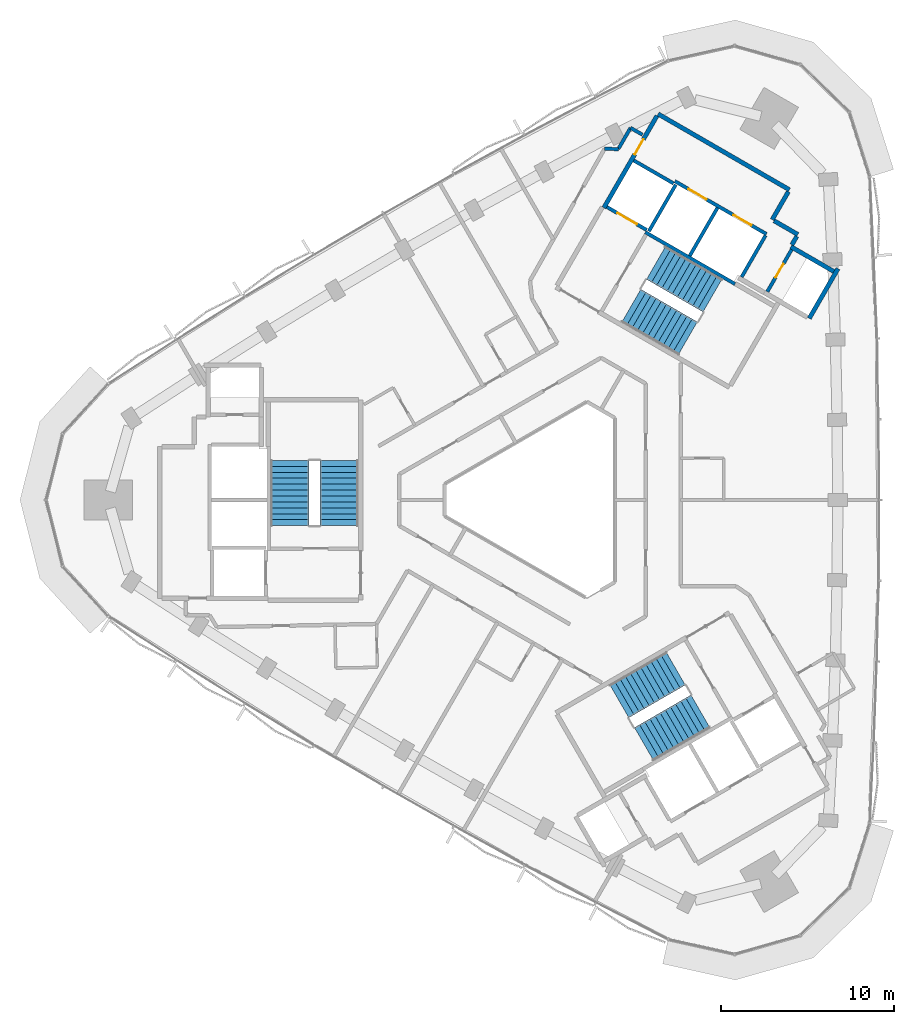
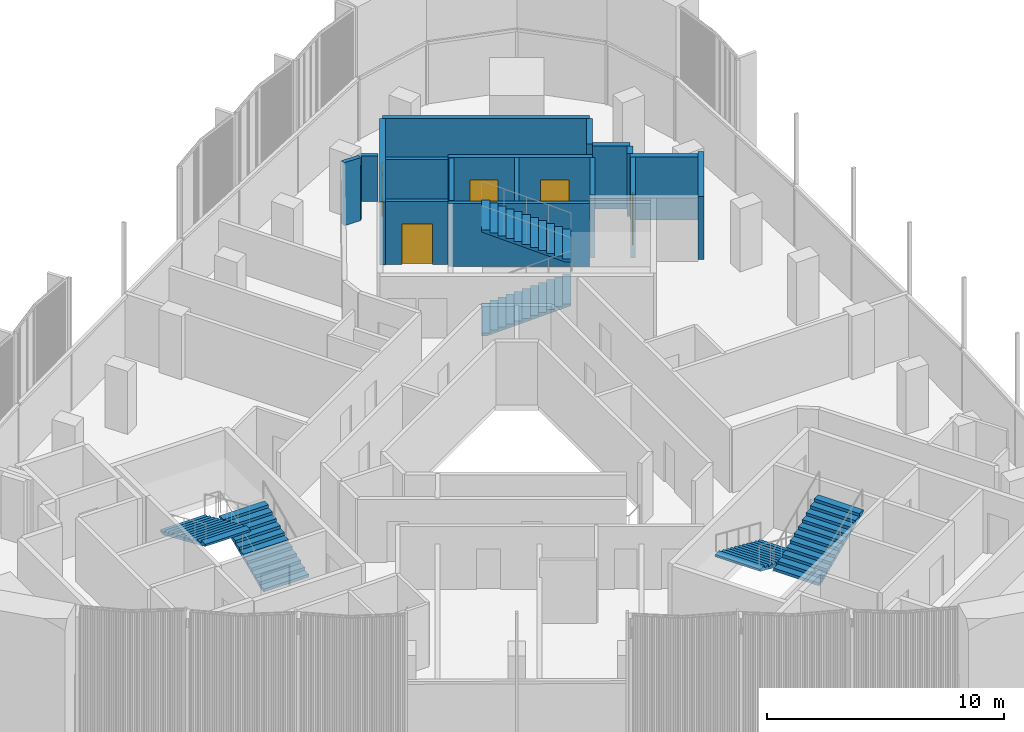
# One storey, part 11 of 16: 18 walls, 6 stair flights, 5 doors, 5 openings, 3 elements without a shape of their own.
"""IFC4 building model written with IfcOpenShell, lengths in metres."""

from ifc_helpers import new_model, si_unit, direction, frame, frame_2d, origin, place, context, subcontext, project, spatial, polyline, rectangle, outline, extrude, material, layer, layer_set, type_object, element, fill, aggregate, save


model = new_model("IFC4")

# Units and contexts
model_context = context("Model", 3, precision=1e-05, world=origin(), true_north=direction((0.0, 1.0)))
body_context = subcontext(model_context, "Body", "Model", "MODEL_VIEW")
ifc_project = project(units=[si_unit("LENGTHUNIT", "METRE"), si_unit("AREAUNIT", "SQUARE_METRE"), si_unit("VOLUMEUNIT", "CUBIC_METRE"), si_unit("PLANEANGLEUNIT", "RADIAN"), si_unit("MASSUNIT", "GRAM", prefix="KILO")], contexts=[model_context])

# Site, building, storey
site_placement = place(None, origin())
site = spatial("IfcSite", under=ifc_project, at=site_placement, CompositionType="ELEMENT")
building_placement = place(site_placement, origin())
building = spatial("IfcBuilding", under=site, at=building_placement, Name="Tamra Quay Hotel Tower", CompositionType="ELEMENT")
storey_placement = place(building_placement, frame((0.0, 0.0, 232.199951171875)))
storey = spatial("IfcBuildingStorey", under=building, at=storey_placement, Name="L58", CompositionType="ELEMENT", Elevation=232.199951171875)

# Wall, openings, doors
ifc_material_1 = material(Name="Concrete M70", Category="concrete")
ifc_layer_1 = layer(ifc_material_1, 0.199951171875)
ifc_layer_set_1 = layer_set([ifc_layer_1], Name="Concrete M70 core wall 200")
wall_type_1 = type_object("IfcWallType", Name="Concrete M70 core wall 200", PredefinedType="SHEAR", material=ifc_layer_set_1)
wall_1_placement = place(storey_placement, frame((12.552490234375, 15.341552734375, 0.0), z_axis=(0.0, 0.0, 1.0), x_axis=(-0.866030299012, 0.499991521122, 0.0)))
wall_1 = element("IfcWall", 1, at=wall_1_placement, inside=storey, type_object=wall_type_1, Name="CW2", PredefinedType="SHEAR", context=body_context, shape_type="SweptSolid", body=[
    extrude(rectangle(XDim=6.10009765625, YDim=0.199951171875, at=frame_2d((3.050048828125, 0.0))), origin(), (0.0, 0.0, 1.0), 3.25),
])
opening_1_placement = place(wall_1_placement, frame((1.0, 0.0, 0.0)))
opening_1 = element("IfcOpeningElement", 2, at=opening_1_placement, cuts=wall_1, Name="Opening LD", PredefinedType="OPENING", context=body_context, shape_type="SweptSolid", body=[
    extrude(rectangle(XDim=1.199951171875, YDim=2.10009765625, at=frame_2d((0.60009765625, 1.050048828125))), frame((0.0, 0.10986328125, 0.0), z_axis=(0.0, -1.0, 0.0), x_axis=(1.0, 0.0, 0.0)), (0.0, 0.0, 1.0), 0.219970703125),
])
opening_2_placement = place(wall_1_placement, frame((3.982177734375, 0.0, 0.0)))
opening_2 = element("IfcOpeningElement", 3, at=opening_2_placement, cuts=wall_1, Name="Opening LD", PredefinedType="OPENING", context=body_context, shape_type="SweptSolid", body=[
    extrude(rectangle(XDim=1.199951171875, YDim=2.10009765625, at=frame_2d((0.60009765625, 1.050048828125))), frame((0.0, 0.10986328125, 0.0), z_axis=(0.0, -1.0, 0.0), x_axis=(1.0, 0.0, 0.0)), (0.0, 0.0, 1.0), 0.219970703125),
])
ifc_material_2 = material(Name="Landing door LD 1200 double door sliding")
door_type_1 = type_object("IfcDoorType", Name="Landing door LD 1200 double door sliding", OperationType="DOUBLE_DOOR_SLIDING", PredefinedType="DOOR", material=ifc_material_2)
door_1_placement = place(opening_1_placement, origin())
door_1 = element("IfcDoor", 4, at=door_1_placement, inside=storey, type_object=door_type_1, Name="LD", OperationType="DOUBLE_DOOR_SLIDING", OverallHeight=2.10009765625, OverallWidth=1.199951171875, PredefinedType="DOOR", context=body_context, shape_type="SweptSolid", body=[
    extrude(rectangle(XDim=1.199951171875, YDim=2.10009765625, at=frame_2d((0.60009765625, 1.050048828125))), frame((0.0, 0.02490234375, 0.0), z_axis=(0.0, -1.0, 0.0), x_axis=(1.0, 0.0, 0.0)), (0.0, 0.0, 1.0), 0.050048828125),
])
fill(opening_1, door_1)
door_2_placement = place(opening_2_placement, origin())
door_2 = element("IfcDoor", 5, at=door_2_placement, inside=storey, type_object=door_type_1, Name="LD", OperationType="DOUBLE_DOOR_SLIDING", OverallHeight=2.10009765625, OverallWidth=1.199951171875, PredefinedType="DOOR", context=body_context, shape_type="SweptSolid", body=[
    extrude(rectangle(XDim=1.199951171875, YDim=2.10009765625, at=frame_2d((0.60009765625, 1.050048828125))), frame((0.0, 0.02490234375, 0.0), z_axis=(0.0, -1.0, 0.0), x_axis=(1.0, 0.0, 0.0)), (0.0, 0.0, 1.0), 0.050048828125),
])
fill(opening_2, door_2)

# Walls
wall_2_placement = place(storey_placement, frame((10.7431640625, 12.4599609375, 0.0), z_axis=(0.0, 0.0, 1.0), x_axis=(-0.866018848283, 0.500011354289, 0.0)))
element("IfcWall", 6, at=wall_2_placement, inside=storey, type_object=wall_type_1, Name="CW2", PredefinedType="SHEAR", context=body_context, shape_type="SweptSolid", body=[
    extrude(rectangle(XDim=5.973876953125, YDim=0.199951171875, at=frame_2d((2.98681640625, 0.0))), origin(), (0.0, 0.0, 1.0), 3.25),
])
wall_3_placement = place(storey_placement, frame((8.131591796875, 14.08447265625, 0.0), z_axis=(0.0, 0.0, 1.0), x_axis=(0.500030834389, 0.86600760081, 0.0)))
element("IfcWall", 7, at=wall_3_placement, inside=storey, type_object=wall_type_1, Name="CW2", PredefinedType="SHEAR", context=body_context, shape_type="SweptSolid", body=[
    extrude(rectangle(XDim=3.197998046875, YDim=0.199951171875, at=frame_2d((1.59912109375, 0.0))), origin(), (0.0, 0.0, 1.0), 3.25),
])

# Wall, opening, door
wall_4_placement = place(storey_placement, frame((14.0078125, 14.442138671875, 0.0), z_axis=(0.0, 0.0, 1.0), x_axis=(-0.499986818241, -0.866033014143, 0.0)))
wall_4 = element("IfcWall", 8, at=wall_4_placement, inside=storey, type_object=wall_type_1, Name="CW2", PredefinedType="SHEAR", context=body_context, shape_type="SweptSolid", body=[
    extrude(rectangle(XDim=2.7978515625, YDim=0.199951171875, at=frame_2d((1.39892578125, 0.0))), origin(), (0.0, 0.0, 1.0), 3.25),
])
opening_3_placement = place(wall_4_placement, frame((0.948974609375, 0.0, 0.0)))
opening_3 = element("IfcOpeningElement", 9, at=opening_3_placement, cuts=wall_4, Name="Opening D1", PredefinedType="OPENING", context=body_context, shape_type="SweptSolid", body=[
    extrude(rectangle(XDim=0.89990234375, YDim=2.10009765625, at=frame_2d((0.449951171875, 1.050048828125))), frame((0.0, 0.10986328125, 0.0), z_axis=(0.0, -1.0, 0.0), x_axis=(1.0, 0.0, 0.0)), (0.0, 0.0, 1.0), 0.219970703125),
])
ifc_material_3 = material(Name="Core door D1 900x2100 LH")
door_type_2 = type_object("IfcDoorType", Name="Core door D1 900x2100 LH", OperationType="NOTDEFINED", PredefinedType="DOOR", material=ifc_material_3)
door_3_placement = place(opening_3_placement, origin())
door_3 = element("IfcDoor", 10, at=door_3_placement, inside=storey, type_object=door_type_2, Name="D1", OperationType="SINGLE_SWING_LEFT", OverallHeight=2.10009765625, OverallWidth=0.89990234375, PredefinedType="DOOR", context=body_context, shape_type="SweptSolid", body=[
    extrude(rectangle(XDim=0.89990234375, YDim=2.10009765625, at=frame_2d((0.449951171875, 1.050048828125))), frame((0.0, 0.02490234375, 0.0), z_axis=(0.0, -1.0, 0.0), x_axis=(1.0, 0.0, 0.0)), (0.0, 0.0, 1.0), 0.050048828125),
])
fill(opening_3, door_3)

# Walls
wall_5_placement = place(storey_placement, frame((12.50244140625, 15.2548828125, 0.0), z_axis=(0.0, 0.0, 1.0), x_axis=(-0.499965018551, -0.866045599391, 0.0)))
element("IfcWall", 11, at=wall_5_placement, inside=storey, type_object=wall_type_1, Name="CW2", PredefinedType="SHEAR", context=body_context, shape_type="SweptSolid", body=[
    extrude(rectangle(XDim=2.759033203125, YDim=0.199951171875, at=frame_2d((1.37939453125, 0.0))), origin(), (0.0, 0.0, 1.0), 3.25),
])
wall_6_placement = place(storey_placement, frame((7.324462890625, 18.1865234375, 0.0), z_axis=(0.0, 0.0, 1.0), x_axis=(-0.499967891604, -0.866043940782, 0.0)))
element("IfcWall", 12, at=wall_6_placement, inside=storey, type_object=wall_type_1, Name="CW2", PredefinedType="SHEAR", context=body_context, shape_type="SweptSolid", body=[
    extrude(rectangle(XDim=3.099853515625, YDim=0.199951171875, at=frame_2d((1.5498046875, 0.0))), origin(), (0.0, 0.0, 1.0), 3.25),
])

# Wall, opening, door
wall_7_placement = place(storey_placement, frame((5.646240234375, 15.575927734375, 0.0), z_axis=(0.0, 0.0, 1.0), x_axis=(-0.866018407898, 0.500012117035, 0.0)))
wall_7 = element("IfcWall", 13, at=wall_7_placement, inside=storey, type_object=wall_type_1, Name="CW2", PredefinedType="SHEAR", context=body_context, shape_type="SweptSolid", body=[
    extrude(rectangle(XDim=2.65087890625, YDim=0.199951171875, at=frame_2d((1.325439453125, 0.0))), origin(), (0.0, 0.0, 1.0), 3.25),
])
opening_4_placement = place(wall_7_placement, frame((0.65185546875, 0.0, 0.0)))
opening_4 = element("IfcOpeningElement", 14, at=opening_4_placement, cuts=wall_7, Name="Opening LD", PredefinedType="OPENING", context=body_context, shape_type="SweptSolid", body=[
    extrude(rectangle(XDim=1.300048828125, YDim=2.10009765625, at=frame_2d((0.64990234375, 1.050048828125))), frame((0.0, 0.10986328125, 0.0), z_axis=(0.0, -1.0, 0.0), x_axis=(1.0, 0.0, 0.0)), (0.0, 0.0, 1.0), 0.219970703125),
])
ifc_material_4 = material(Name="Landing door LD 1300 sliding to right")
door_type_3 = type_object("IfcDoorType", Name="Landing door LD 1300 sliding to right", OperationType="NOTDEFINED", PredefinedType="DOOR", material=ifc_material_4)
door_4_placement = place(opening_4_placement, origin())
door_4 = element("IfcDoor", 15, at=door_4_placement, inside=storey, type_object=door_type_3, Name="LD", OperationType="SLIDING_TO_RIGHT", OverallHeight=2.10009765625, OverallWidth=1.300048828125, PredefinedType="DOOR", context=body_context, shape_type="SweptSolid", body=[
    extrude(rectangle(XDim=1.300048828125, YDim=2.10009765625, at=frame_2d((0.64990234375, 1.050048828125))), frame((0.0, 0.02490234375, 0.0), z_axis=(0.0, -1.0, 0.0), x_axis=(1.0, 0.0, 0.0)), (0.0, 0.0, 1.0), 0.050048828125),
])
fill(opening_4, door_4)

# Walls
wall_8_placement = place(storey_placement, frame((7.1962890625, 18.260498046875, 0.0), z_axis=(0.0, 0.0, 1.0), x_axis=(-0.866018407898, 0.500012117035, 0.0)))
element("IfcWall", 16, at=wall_8_placement, inside=storey, type_object=wall_type_1, Name="CW2", PredefinedType="SHEAR", context=body_context, shape_type="SweptSolid", body=[
    extrude(rectangle(XDim=2.65087890625, YDim=0.199951171875, at=frame_2d((1.325439453125, 0.0))), origin(), (0.0, 0.0, 1.0), 3.25),
])
ifc_layer_2 = layer(ifc_material_1, 0.25)
ifc_layer_set_2 = layer_set([ifc_layer_2], Name="Concrete M70 core wall 250")
wall_type_2 = type_object("IfcWallType", Name="Concrete M70 core wall 250", PredefinedType="SHEAR", material=ifc_layer_set_2)
wall_9_placement = place(storey_placement, frame((6.303955078125, 22.268798828125, 0.0), z_axis=(0.0, 0.0, 1.0), x_axis=(0.866022959057, -0.500004234368, 0.0)))
element("IfcWall", 17, at=wall_9_placement, inside=storey, type_object=wall_type_2, Name="CW1", PredefinedType="SHEAR", context=body_context, shape_type="SweptSolid", body=[
    extrude(rectangle(XDim=8.75, YDim=0.25, at=frame_2d((4.375, 0.0))), origin(), (0.0, 0.0, 1.0), 3.25),
])

# Wall, opening, door
wall_10_placement = place(storey_placement, frame((3.178955078125, 16.856201171875, 0.0), z_axis=(0.0, 0.0, 1.0), x_axis=(0.500001955336, 0.866024274868, 0.0)))
wall_10 = element("IfcWall", 18, at=wall_10_placement, inside=storey, type_object=wall_type_2, Name="CW1", PredefinedType="SHEAR", context=body_context, shape_type="SweptSolid", body=[
    extrude(rectangle(XDim=6.12451171875, YDim=0.25, at=frame_2d((3.062255859375, 0.0))), origin(), (0.0, 0.0, 1.0), 3.25),
])
opening_5_placement = place(wall_10_placement, frame((3.562744140625, 0.0, 0.0)))
opening_5 = element("IfcOpeningElement", 19, at=opening_5_placement, cuts=wall_10, Name="Opening FD3", PredefinedType="OPENING", context=body_context, shape_type="SweptSolid", body=[
    extrude(rectangle(XDim=1.0, YDim=2.10009765625, at=frame_2d((0.5, 1.050048828125))), frame((0.0, 0.135009765625, 0.0), z_axis=(0.0, -1.0, 0.0), x_axis=(1.0, 0.0, 0.0)), (0.0, 0.0, 1.0), 0.27001953125),
])
ifc_material_5 = material(Name="Core door FD3 1000x2100 LH")
door_type_4 = type_object("IfcDoorType", Name="Core door FD3 1000x2100 LH", OperationType="NOTDEFINED", PredefinedType="DOOR", material=ifc_material_5)
door_5_placement = place(opening_5_placement, origin())
door_5 = element("IfcDoor", 20, at=door_5_placement, inside=storey, type_object=door_type_4, Name="FD3", OperationType="SINGLE_SWING_LEFT", OverallHeight=2.10009765625, OverallWidth=1.0, PredefinedType="DOOR", context=body_context, shape_type="SweptSolid", body=[
    extrude(rectangle(XDim=1.0, YDim=2.10009765625, at=frame_2d((0.5, 1.050048828125))), frame((0.0, 0.02490234375, 0.0), z_axis=(0.0, -1.0, 0.0), x_axis=(1.0, 0.0, 0.0)), (0.0, 0.0, 1.0), 0.050048828125),
])
fill(opening_5, door_5)

# Walls
wall_11_placement = place(storey_placement, frame((16.68359375, 13.3466796875, 0.0), z_axis=(0.0, 0.0, 1.0), x_axis=(-0.499998874531, -0.866026053573, 0.0)))
element("IfcWall", 21, at=wall_11_placement, inside=storey, type_object=wall_type_2, Name="CW1", PredefinedType="SHEAR", context=body_context, shape_type="SweptSolid", body=[
    extrude(rectangle(XDim=3.31298828125, YDim=0.25, at=frame_2d((1.656494140625, 0.0))), origin(), (0.0, 0.0, 1.0), 3.25),
])
wall_12_placement = place(storey_placement, frame((13.962646484375, 14.61376953125, 0.0), z_axis=(0.0, 0.0, 1.0), x_axis=(0.866042235819, -0.499970844928, 0.0)))
element("IfcWall", 22, at=wall_12_placement, inside=storey, type_object=wall_type_2, Name="CW1", PredefinedType="SHEAR", context=body_context, shape_type="SweptSolid", body=[
    extrude(rectangle(XDim=2.864501953125, YDim=0.25, at=frame_2d((1.43212890625, 0.0))), origin(), (0.0, 0.0, 1.0), 3.25),
])
wall_13_placement = place(storey_placement, frame((13.819091796875, 17.78515625, 0.0), z_axis=(0.0, 0.0, 1.0), x_axis=(-0.500039802285, -0.866002422705, 0.0)))
element("IfcWall", 23, at=wall_13_placement, inside=storey, type_object=wall_type_2, Name="CW1", PredefinedType="SHEAR", context=body_context, shape_type="SweptSolid", body=[
    extrude(rectangle(XDim=1.864501953125, YDim=0.25, at=frame_2d((0.93212890625, 0.0))), origin(), (0.0, 0.0, 1.0), 3.25),
])
wall_14_placement = place(storey_placement, frame((12.995361328125, 16.107666015625, 0.0), z_axis=(0.0, 0.0, 1.0), x_axis=(0.866044474677, -0.49996696679, 0.0)))
element("IfcWall", 24, at=wall_14_placement, inside=storey, type_object=wall_type_2, Name="CW1", PredefinedType="SHEAR", context=body_context, shape_type="SweptSolid", body=[
    extrude(rectangle(XDim=1.58447265625, YDim=0.25, at=frame_2d((0.792236328125, 0.0))), origin(), (0.0, 0.0, 1.0), 3.25),
])
wall_15_placement = place(storey_placement, frame((14.304931640625, 15.206787109375, 0.0), z_axis=(0.0, 0.0, 1.0), x_axis=(-0.499848422343, -0.866112899501, 0.0)))
element("IfcWall", 25, at=wall_15_placement, inside=storey, type_object=wall_type_2, Name="CW1", PredefinedType="SHEAR", context=body_context, shape_type="SweptSolid", body=[
    extrude(rectangle(XDim=0.559326171875, YDim=0.25, at=frame_2d((0.27978515625, 0.0))), origin(), (0.0, 0.0, 1.0), 3.25),
])
ifc_material_6 = material(Name="Partition corridor wall")
ifc_layer_3 = layer(ifc_material_6, 0.199951171875)
ifc_layer_set_3 = layer_set([ifc_layer_3], Name="Partition corridor wall")
wall_type_3 = type_object("IfcWallType", Name="Partition corridor wall", PredefinedType="PARTITIONING", material=ifc_layer_set_3)
wall_16_placement = place(storey_placement, frame((3.218994140625, 20.256103515625, 0.0), z_axis=(0.0, 0.0, 1.0), x_axis=(0.99982237262, -0.0188473661, 0.0)))
element("IfcWall", 26, at=wall_16_placement, inside=storey, type_object=wall_type_3, Name="W-C", PredefinedType="PARTITIONING", context=body_context, shape_type="SweptSolid", body=[
    extrude(rectangle(XDim=0.80322265625, YDim=0.199951171875, at=frame_2d((0.401611328125, 0.0))), origin(), (0.0, 0.0, 1.0), 3.25),
])
wall_17_placement = place(storey_placement, frame((4.01611328125, 20.256103515625, 0.0), z_axis=(0.0, 0.0, 1.0), x_axis=(0.500135180047, 0.865947343479, 0.0)))
element("IfcWall", 27, at=wall_17_placement, inside=storey, type_object=wall_type_3, Name="W-C", PredefinedType="PARTITIONING", context=body_context, shape_type="SweptSolid", body=[
    extrude(rectangle(XDim=1.3994140625, YDim=0.199951171875, at=frame_2d((0.69970703125, 0.0))), origin(), (0.0, 0.0, 1.0), 2.35009765625),
])
wall_18_placement = place(storey_placement, frame((4.716064453125, 21.468017578125, 0.0), z_axis=(0.0, 0.0, 1.0), x_axis=(0.865912682783, -0.500195187698, 0.0)))
element("IfcWall", 28, at=wall_18_placement, inside=storey, type_object=wall_type_3, Name="W-C", PredefinedType="PARTITIONING", context=body_context, shape_type="SweptSolid", body=[
    extrude(rectangle(XDim=0.789794921875, YDim=0.199951171875, at=frame_2d((0.39501953125, 0.0))), origin(), (0.0, 0.0, 1.0), 2.35009765625),
])

# Stair, stair flights
ifc_material_7 = material(Name="Exit stair 2200 24 risers 150.0 going 342")
stair_type = type_object("IfcStairType", Name="Exit stair 2200 24 risers 150.0 going 342", PredefinedType="HALF_TURN_STAIR", material=ifc_material_7)
stair_1_placement = place(storey_placement, origin())
stair_1 = element("IfcStair", 29, at=stair_1_placement, inside=storey, type_object=stair_type, Name="L58 Exit stair ST3", PredefinedType="HALF_TURN_STAIR")
ifc_material_8 = material(Name="Exit stair flight 2200 12 risers 150.0")
stair_flight_type = type_object("IfcStairFlightType", Name="Exit stair flight 2200 12 risers 150.0", PredefinedType="STRAIGHT", material=ifc_material_8)
stair_flight_1_placement = place(storey_placement, frame((-12.082275390625, -1.47998046875, 0.0), z_axis=(0.0, 0.0, 1.0), x_axis=(0.0, 1.0, 0.0)))
stair_flight_1 = element("IfcStairFlight", 30, at=stair_flight_1_placement, type_object=stair_flight_type, Name="ST3 flight 1", NumberOfRisers=12, NumberOfTreads=11, PredefinedType="STRAIGHT", RiserHeight=0.15, TreadLength=0.342, context=body_context, shape_type="SweptSolid", body=[
    extrude(outline(polyline([(0.0, 0.0), (0.0, 0.14990234375), (0.342041015625, 0.14990234375), (0.342041015625, 0.300048828125), (0.68408203125, 0.300048828125), (0.68408203125, 0.449951171875), (1.02587890625, 0.449951171875), (1.02587890625, 0.60009765625), (1.367919921875, 0.60009765625), (1.367919921875, 0.75), (1.7099609375, 0.75), (1.7099609375, 0.89990234375), (2.052001953125, 0.89990234375), (2.052001953125, 1.050048828125), (2.39404296875, 1.050048828125), (2.39404296875, 1.199951171875), (2.736083984375, 1.199951171875), (2.736083984375, 1.35009765625), (3.077880859375, 1.35009765625), (3.077880859375, 1.5), (3.419921875, 1.5), (3.419921875, 1.64990234375), (3.761962890625, 1.64990234375), (3.761962890625, 1.800048828125), (3.761962890625, 1.540771484375), (0.249267578125, 0.0), (0.0, 0.0)])), frame((0.0, 1.10009765625, 0.0), z_axis=(0.0, -1.0, 0.0), x_axis=(1.0, 0.0, 0.0)), (0.0, 0.0, 1.0), 2.199951171875),
])
stair_flight_2_placement = place(storey_placement, frame((-14.94140625, 2.281982421875, 1.800048828125), z_axis=(0.0, 0.0, 1.0), x_axis=(0.0, -1.0, 0.0)))
stair_flight_2 = element("IfcStairFlight", 31, at=stair_flight_2_placement, type_object=stair_flight_type, Name="ST3 flight 2", NumberOfRisers=12, NumberOfTreads=11, PredefinedType="STRAIGHT", RiserHeight=0.15, TreadLength=0.342, context=body_context, shape_type="SweptSolid", body=[
    extrude(outline(polyline([(0.0, 0.0), (0.0, 0.14990234375), (0.342041015625, 0.14990234375), (0.342041015625, 0.300048828125), (0.68408203125, 0.300048828125), (0.68408203125, 0.449951171875), (1.02587890625, 0.449951171875), (1.02587890625, 0.60009765625), (1.367919921875, 0.60009765625), (1.367919921875, 0.75), (1.7099609375, 0.75), (1.7099609375, 0.89990234375), (2.052001953125, 0.89990234375), (2.052001953125, 1.050048828125), (2.39404296875, 1.050048828125), (2.39404296875, 1.199951171875), (2.736083984375, 1.199951171875), (2.736083984375, 1.35009765625), (3.077880859375, 1.35009765625), (3.077880859375, 1.5), (3.419921875, 1.5), (3.419921875, 1.64990234375), (3.761962890625, 1.64990234375), (3.761962890625, 1.800048828125), (3.761962890625, 1.540771484375), (0.249267578125, 0.0), (0.0, 0.0)])), frame((0.0, 1.10009765625, 0.0), z_axis=(0.0, -1.0, 0.0), x_axis=(1.0, 0.0, 0.0)), (0.0, 0.0, 1.0), 2.199951171875),
])
aggregate(stair_1, [stair_flight_1, stair_flight_2])

stair_2_placement = place(storey_placement, origin())
stair_2 = element("IfcStair", 32, at=stair_2_placement, inside=storey, type_object=stair_type, Name="L58 Exit stair ST1", PredefinedType="HALF_TURN_STAIR")
stair_flight_3_placement = place(storey_placement, frame((4.75927734375, 11.20361328125, 0.0), z_axis=(0.0, 0.0, 1.0), x_axis=(0.866025403784, -0.5, 0.0)))
stair_flight_3 = element("IfcStairFlight", 33, at=stair_flight_3_placement, type_object=stair_flight_type, Name="ST1 flight 1", NumberOfRisers=12, NumberOfTreads=11, PredefinedType="STRAIGHT", RiserHeight=0.15, TreadLength=0.342, context=body_context, shape_type="SweptSolid", body=[
    extrude(outline(polyline([(0.0, 0.0), (0.0, 0.14990234375), (0.342041015625, 0.14990234375), (0.342041015625, 0.300048828125), (0.68408203125, 0.300048828125), (0.68408203125, 0.449951171875), (1.02587890625, 0.449951171875), (1.02587890625, 0.60009765625), (1.367919921875, 0.60009765625), (1.367919921875, 0.75), (1.7099609375, 0.75), (1.7099609375, 0.89990234375), (2.052001953125, 0.89990234375), (2.052001953125, 1.050048828125), (2.39404296875, 1.050048828125), (2.39404296875, 1.199951171875), (2.736083984375, 1.199951171875), (2.736083984375, 1.35009765625), (3.077880859375, 1.35009765625), (3.077880859375, 1.5), (3.419921875, 1.5), (3.419921875, 1.64990234375), (3.761962890625, 1.64990234375), (3.761962890625, 1.800048828125), (3.761962890625, 1.540771484375), (0.249267578125, 0.0), (0.0, 0.0)])), frame((0.0, 1.10009765625, 0.0), z_axis=(0.0, -1.0, 0.0), x_axis=(1.0, 0.0, 0.0)), (0.0, 0.0, 1.0), 2.199951171875),
])
stair_flight_4_placement = place(storey_placement, frame((9.44677734375, 11.798583984375, 1.800048828125), z_axis=(0.0, 0.0, 1.0), x_axis=(-0.866025403784, 0.5, 0.0)))
stair_flight_4 = element("IfcStairFlight", 34, at=stair_flight_4_placement, type_object=stair_flight_type, Name="ST1 flight 2", NumberOfRisers=12, NumberOfTreads=11, PredefinedType="STRAIGHT", RiserHeight=0.15, TreadLength=0.342, context=body_context, shape_type="SweptSolid", body=[
    extrude(outline(polyline([(0.0, 0.0), (0.0, 0.14990234375), (0.342041015625, 0.14990234375), (0.342041015625, 0.300048828125), (0.68408203125, 0.300048828125), (0.68408203125, 0.449951171875), (1.02587890625, 0.449951171875), (1.02587890625, 0.60009765625), (1.367919921875, 0.60009765625), (1.367919921875, 0.75), (1.7099609375, 0.75), (1.7099609375, 0.89990234375), (2.052001953125, 0.89990234375), (2.052001953125, 1.050048828125), (2.39404296875, 1.050048828125), (2.39404296875, 1.199951171875), (2.736083984375, 1.199951171875), (2.736083984375, 1.35009765625), (3.077880859375, 1.35009765625), (3.077880859375, 1.5), (3.419921875, 1.5), (3.419921875, 1.64990234375), (3.761962890625, 1.64990234375), (3.761962890625, 1.800048828125), (3.761962890625, 1.540771484375), (0.249267578125, 0.0), (0.0, 0.0)])), frame((0.0, 1.10009765625, 0.0), z_axis=(0.0, -1.0, 0.0), x_axis=(1.0, 0.0, 0.0)), (0.0, 0.0, 1.0), 2.199951171875),
])
aggregate(stair_2, [stair_flight_3, stair_flight_4])

stair_3_placement = place(storey_placement, origin())
stair_3 = element("IfcStair", 35, at=stair_3_placement, inside=storey, type_object=stair_type, Name="L58 Exit stair ST2", PredefinedType="HALF_TURN_STAIR")
stair_flight_5_placement = place(storey_placement, frame((7.322998046875, -9.7236328125, 0.0), z_axis=(0.0, 0.0, 1.0), x_axis=(-0.866025403784, -0.5, 0.0)))
stair_flight_5 = element("IfcStairFlight", 36, at=stair_flight_5_placement, type_object=stair_flight_type, Name="ST2 flight 1", NumberOfRisers=12, NumberOfTreads=11, PredefinedType="STRAIGHT", RiserHeight=0.15, TreadLength=0.342, context=body_context, shape_type="SweptSolid", body=[
    extrude(outline(polyline([(0.0, 0.0), (0.0, 0.14990234375), (0.342041015625, 0.14990234375), (0.342041015625, 0.300048828125), (0.68408203125, 0.300048828125), (0.68408203125, 0.449951171875), (1.02587890625, 0.449951171875), (1.02587890625, 0.60009765625), (1.367919921875, 0.60009765625), (1.367919921875, 0.75), (1.7099609375, 0.75), (1.7099609375, 0.89990234375), (2.052001953125, 0.89990234375), (2.052001953125, 1.050048828125), (2.39404296875, 1.050048828125), (2.39404296875, 1.199951171875), (2.736083984375, 1.199951171875), (2.736083984375, 1.35009765625), (3.077880859375, 1.35009765625), (3.077880859375, 1.5), (3.419921875, 1.5), (3.419921875, 1.64990234375), (3.761962890625, 1.64990234375), (3.761962890625, 1.800048828125), (3.761962890625, 1.540771484375), (0.249267578125, 0.0), (0.0, 0.0)])), frame((0.0, 1.10009765625, 0.0), z_axis=(0.0, -1.0, 0.0), x_axis=(1.0, 0.0, 0.0)), (0.0, 0.0, 1.0), 2.199951171875),
])
stair_flight_6_placement = place(storey_placement, frame((5.494384765625, -14.08056640625, 1.800048828125), z_axis=(0.0, 0.0, 1.0), x_axis=(0.866025403784, 0.5, 0.0)))
stair_flight_6 = element("IfcStairFlight", 37, at=stair_flight_6_placement, type_object=stair_flight_type, Name="ST2 flight 2", NumberOfRisers=12, NumberOfTreads=11, PredefinedType="STRAIGHT", RiserHeight=0.15, TreadLength=0.342, context=body_context, shape_type="SweptSolid", body=[
    extrude(outline(polyline([(0.0, 0.0), (0.0, 0.14990234375), (0.342041015625, 0.14990234375), (0.342041015625, 0.300048828125), (0.68408203125, 0.300048828125), (0.68408203125, 0.449951171875), (1.02587890625, 0.449951171875), (1.02587890625, 0.60009765625), (1.367919921875, 0.60009765625), (1.367919921875, 0.75), (1.7099609375, 0.75), (1.7099609375, 0.89990234375), (2.052001953125, 0.89990234375), (2.052001953125, 1.050048828125), (2.39404296875, 1.050048828125), (2.39404296875, 1.199951171875), (2.736083984375, 1.199951171875), (2.736083984375, 1.35009765625), (3.077880859375, 1.35009765625), (3.077880859375, 1.5), (3.419921875, 1.5), (3.419921875, 1.64990234375), (3.761962890625, 1.64990234375), (3.761962890625, 1.800048828125), (3.761962890625, 1.540771484375), (0.249267578125, 0.0), (0.0, 0.0)])), frame((0.0, 1.10009765625, 0.0), z_axis=(0.0, -1.0, 0.0), x_axis=(1.0, 0.0, 0.0)), (0.0, 0.0, 1.0), 2.199951171875),
])
aggregate(stair_3, [stair_flight_5, stair_flight_6])

save(model, "model.ifc")
